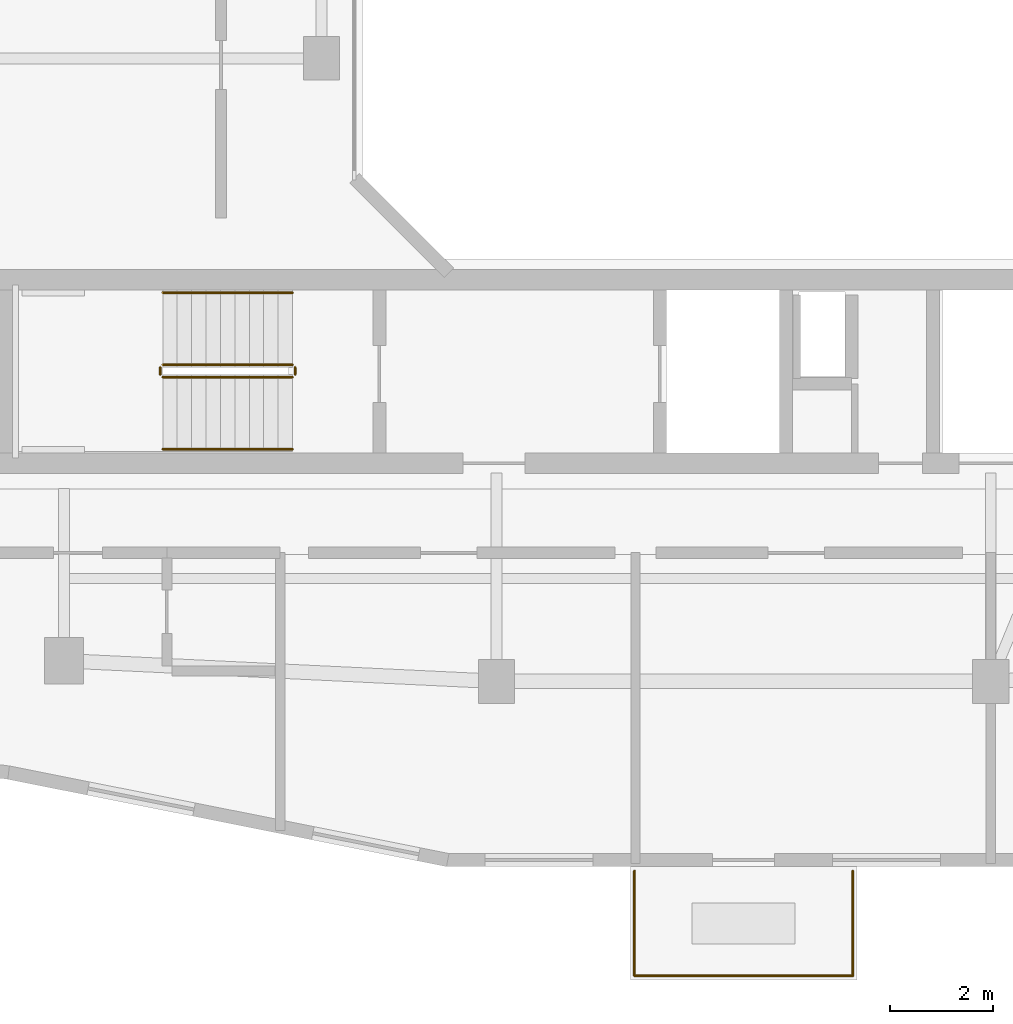
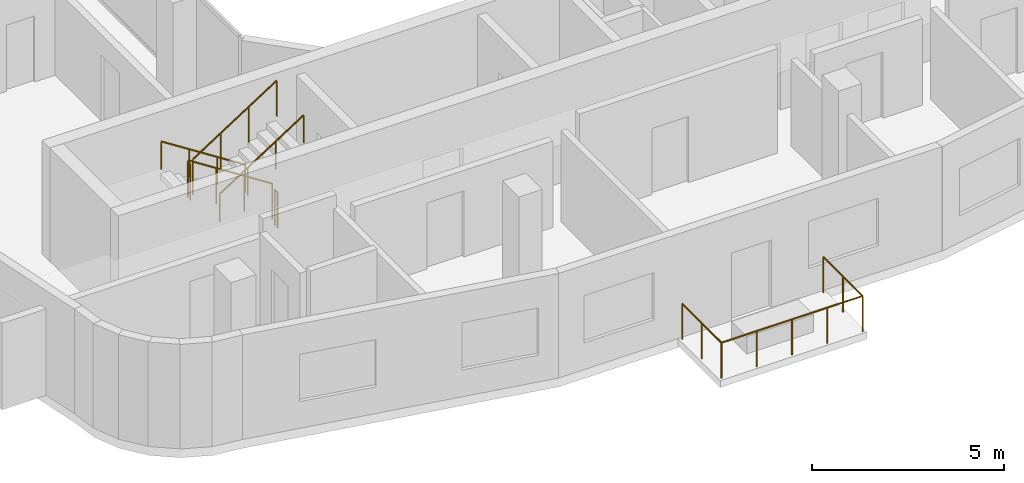
# One storey, part 10 of 13: 9 railings.
"""IFC4 building model written with IfcOpenShell, lengths in metres."""

from ifc_helpers import new_model, si_unit, derived_unit, direction, frame, origin, origin_2d, place, context, subcontext, project, spatial, circle, extrude, material, type_object, element, save


model = new_model("IFC4")

# Units and contexts
model_context = context("Model", 3, precision=1e-05, world=origin(), true_north=direction((0.0, 1.0)))
body_context = subcontext(model_context, "Body", "Model", "MODEL_VIEW")
ifc_project = project(units=[si_unit("LENGTHUNIT", "METRE"), si_unit("AREAUNIT", "SQUARE_METRE"), si_unit("VOLUMEUNIT", "CUBIC_METRE"), si_unit("PLANEANGLEUNIT", "RADIAN"), si_unit("MASSUNIT", "GRAM", prefix="KILO"), derived_unit("THERMALTRANSMITTANCEUNIT", [(si_unit("POWERUNIT", "WATT"), 1), (si_unit("LENGTHUNIT", "METRE"), -2), (si_unit("THERMODYNAMICTEMPERATUREUNIT", "KELVIN"), -1)])], contexts=[model_context])

# Site, building, storey
site_placement = place(None, origin())
site = spatial("IfcSite", under=ifc_project, at=site_placement, CompositionType="ELEMENT")
building_placement = place(site_placement, origin())
building = spatial("IfcBuilding", under=site, at=building_placement, Name="Kivonza Crest Hotel", CompositionType="ELEMENT")
storey_placement = place(building_placement, frame((0.0, 0.0, 231.5)))
storey = spatial("IfcBuildingStorey", under=building, at=storey_placement, Name="L63", CompositionType="ELEMENT", Elevation=231.5)

# Railings
ifc_material_1 = material(Name="Brushed stainless steel handrail", Category="steel")
railing_type_1 = type_object("IfcRailingType", Name="RL-HAND-900", PredefinedType="HANDRAIL", material=ifc_material_1)
railing_1_placement = place(storey_placement, frame((12.239990234375, 16.949951171875, 0.179931640625)))
element("IfcRailing", 1, at=railing_1_placement, inside=storey, type_object=railing_type_1, Name="L63 ST-T1-S stair handrail 1", PredefinedType="HANDRAIL", context=body_context, shape_type="SweptSolid", body=[
    extrude(circle(Radius=0.02392578125, at=origin_2d()), frame((0.0, 0.0, 0.8759765625), z_axis=(-0.841162588446, 0.0, 0.540782303519), x_axis=(0.0, -1.0, 0.0)), (0.0, 0.0, 1.0), 2.995849609375),
    extrude(circle(Radius=0.02099609375, at=origin_2d()), origin(), (0.0, 0.0, 1.0), 0.851806640625),
    extrude(circle(Radius=0.02099609375, at=origin_2d()), frame((-0.840087890625, 0.0, 0.5400390625)), (0.0, 0.0, 1.0), 0.851806640625),
    extrude(circle(Radius=0.02099609375, at=origin_2d()), frame((-1.679931640625, 0.0, 1.080078125)), (0.0, 0.0, 1.0), 0.851806640625),
    extrude(circle(Radius=0.02099609375, at=origin_2d()), frame((-2.52001953125, 0.0, 1.6201171875)), (0.0, 0.0, 1.0), 0.851806640625),
])
railing_2_placement = place(storey_placement, frame((9.719970703125, 13.909912109375, 1.97998046875)))
element("IfcRailing", 2, at=railing_2_placement, inside=storey, type_object=railing_type_1, Name="L63 ST-T1-S stair handrail 2", PredefinedType="HANDRAIL", context=body_context, shape_type="SweptSolid", body=[
    extrude(circle(Radius=0.02392578125, at=origin_2d()), frame((0.0, 0.0, 0.8759765625), z_axis=(0.841162588446, 0.0, 0.540782303519), x_axis=(0.0, 1.0, 0.0)), (0.0, 0.0, 1.0), 2.995849609375),
    extrude(circle(Radius=0.02099609375, at=origin_2d()), origin(), (0.0, 0.0, 1.0), 0.851806640625),
    extrude(circle(Radius=0.02099609375, at=origin_2d()), frame((0.840087890625, 0.0, 0.5400390625)), (0.0, 0.0, 1.0), 0.851806640625),
    extrude(circle(Radius=0.02099609375, at=origin_2d()), frame((1.679931640625, 0.0, 1.080078125)), (0.0, 0.0, 1.0), 0.851806640625),
    extrude(circle(Radius=0.02099609375, at=origin_2d()), frame((2.52001953125, 0.0, 1.6201171875)), (0.0, 0.0, 1.0), 0.851806640625),
])
ifc_material_2 = material(Name="Painted steel balustrade", Category="steel")
railing_type_2 = type_object("IfcRailingType", Name="RL-STAIR-1150", PredefinedType="BALUSTRADE", material=ifc_material_2)
railing_3_placement = place(storey_placement, frame((12.239990234375, 15.550048828125, 0.179931640625)))
element("IfcRailing", 3, at=railing_3_placement, inside=storey, type_object=railing_type_2, Name="L63 ST-T1-S stair guard 1", PredefinedType="BALUSTRADE", context=body_context, shape_type="SweptSolid", body=[
    extrude(circle(Radius=0.02392578125, at=origin_2d()), frame((0.0, 0.0, 1.1259765625), z_axis=(-0.841162588446, 0.0, 0.540782303519), x_axis=(0.0, -1.0, 0.0)), (0.0, 0.0, 1.0), 2.995849609375),
    extrude(circle(Radius=0.02099609375, at=origin_2d()), origin(), (0.0, 0.0, 1.0), 1.101806640625),
    extrude(circle(Radius=0.02099609375, at=origin_2d()), frame((-0.840087890625, 0.0, 0.5400390625)), (0.0, 0.0, 1.0), 1.101806640625),
    extrude(circle(Radius=0.02099609375, at=origin_2d()), frame((-1.679931640625, 0.0, 1.080078125)), (0.0, 0.0, 1.0), 1.101806640625),
    extrude(circle(Radius=0.02099609375, at=origin_2d()), frame((-2.52001953125, 0.0, 1.6201171875)), (0.0, 0.0, 1.0), 1.101806640625),
])
railing_4_placement = place(storey_placement, frame((9.669921875, 15.5, 1.800048828125)))
element("IfcRailing", 4, at=railing_4_placement, inside=storey, type_object=railing_type_2, Name="L63 ST-T1-S stair guard 2", PredefinedType="BALUSTRADE", context=body_context, shape_type="SweptSolid", body=[
    extrude(circle(Radius=0.02392578125, at=origin_2d()), frame((0.0, 0.0, 1.1259765625), z_axis=(0.0, -1.0, 0.0), x_axis=(1.0, 0.0, 0.0)), (0.0, 0.0, 1.0), 0.139892578125),
    extrude(circle(Radius=0.02099609375, at=origin_2d()), origin(), (0.0, 0.0, 1.0), 1.101806640625),
    extrude(circle(Radius=0.02099609375, at=origin_2d()), frame((0.0, -0.139892578125, 0.0)), (0.0, 0.0, 1.0), 1.101806640625),
])
railing_5_placement = place(storey_placement, frame((9.719970703125, 15.31005859375, 1.97998046875)))
element("IfcRailing", 5, at=railing_5_placement, inside=storey, type_object=railing_type_2, Name="L63 ST-T1-S stair guard 3", PredefinedType="BALUSTRADE", context=body_context, shape_type="SweptSolid", body=[
    extrude(circle(Radius=0.02392578125, at=origin_2d()), frame((0.0, 0.0, 1.1259765625), z_axis=(0.841162588446, 0.0, 0.540782303519), x_axis=(0.0, 1.0, 0.0)), (0.0, 0.0, 1.0), 2.995849609375),
    extrude(circle(Radius=0.02099609375, at=origin_2d()), origin(), (0.0, 0.0, 1.0), 1.101806640625),
    extrude(circle(Radius=0.02099609375, at=origin_2d()), frame((0.840087890625, 0.0, 0.5400390625)), (0.0, 0.0, 1.0), 1.101806640625),
    extrude(circle(Radius=0.02099609375, at=origin_2d()), frame((1.679931640625, 0.0, 1.080078125)), (0.0, 0.0, 1.0), 1.101806640625),
    extrude(circle(Radius=0.02099609375, at=origin_2d()), frame((2.52001953125, 0.0, 1.6201171875)), (0.0, 0.0, 1.0), 1.101806640625),
])
railing_6_placement = place(storey_placement, frame((12.2900390625, 15.5, 0.0)))
element("IfcRailing", 6, at=railing_6_placement, inside=storey, type_object=railing_type_2, Name="L63 ST-T1-S stair guard 4", PredefinedType="BALUSTRADE", context=body_context, shape_type="SweptSolid", body=[
    extrude(circle(Radius=0.02392578125, at=origin_2d()), frame((0.0, 0.0, 1.1259765625), z_axis=(0.0, -1.0, 0.0), x_axis=(1.0, 0.0, 0.0)), (0.0, 0.0, 1.0), 0.139892578125),
    extrude(circle(Radius=0.02099609375, at=origin_2d()), origin(), (0.0, 0.0, 1.0), 1.101806640625),
    extrude(circle(Radius=0.02099609375, at=origin_2d()), frame((0.0, -0.139892578125, 0.0)), (0.0, 0.0, 1.0), 1.101806640625),
])
ifc_material_3 = material(Name="Laminated glass and stainless steel balustrade", Category="steel")
railing_type_3 = type_object("IfcRailingType", Name="RL-TERR-1150", PredefinedType="BALUSTRADE", material=ifc_material_3)
railing_7_placement = place(storey_placement, frame((18.8798828125, 3.679931640625, 0.0)))
element("IfcRailing", 7, at=railing_7_placement, inside=storey, type_object=railing_type_3, Name="L63 T1-L63-SG-SW perimeter safety balustrade 1", PredefinedType="BALUSTRADE", context=body_context, shape_type="SweptSolid", body=[
    extrude(circle(Radius=0.02392578125, at=origin_2d()), frame((0.0, 0.0, 1.1259765625), z_axis=(0.0, 1.0, 0.0), x_axis=(-1.0, 0.0, 0.0)), (0.0, 0.0, 1.0), 2.0400390625),
    extrude(circle(Radius=0.02099609375, at=origin_2d()), origin(), (0.0, 0.0, 1.0), 1.101806640625),
    extrude(circle(Radius=0.02099609375, at=origin_2d()), frame((0.0, 1.02001953125, 0.0)), (0.0, 0.0, 1.0), 1.101806640625),
    extrude(circle(Radius=0.02099609375, at=origin_2d()), frame((0.0, 2.0400390625, 0.0)), (0.0, 0.0, 1.0), 1.101806640625),
])
railing_8_placement = place(storey_placement, frame((23.1201171875, 5.719970703125, 0.0)))
element("IfcRailing", 8, at=railing_8_placement, inside=storey, type_object=railing_type_3, Name="L63 T1-L63-SG-SW perimeter safety balustrade 2", PredefinedType="BALUSTRADE", context=body_context, shape_type="SweptSolid", body=[
    extrude(circle(Radius=0.02392578125, at=origin_2d()), frame((0.0, 0.0, 1.1259765625), z_axis=(0.0, -1.0, 0.0), x_axis=(1.0, 0.0, 0.0)), (0.0, 0.0, 1.0), 2.0400390625),
    extrude(circle(Radius=0.02099609375, at=origin_2d()), origin(), (0.0, 0.0, 1.0), 1.101806640625),
    extrude(circle(Radius=0.02099609375, at=origin_2d()), frame((0.0, -1.02001953125, 0.0)), (0.0, 0.0, 1.0), 1.101806640625),
    extrude(circle(Radius=0.02099609375, at=origin_2d()), frame((0.0, -2.0400390625, 0.0)), (0.0, 0.0, 1.0), 1.101806640625),
])
railing_9_placement = place(storey_placement, frame((23.1201171875, 3.679931640625, 0.0)))
element("IfcRailing", 9, at=railing_9_placement, inside=storey, type_object=railing_type_3, Name="L63 T1-L63-SG-SW perimeter safety balustrade 3", PredefinedType="BALUSTRADE", context=body_context, shape_type="SweptSolid", body=[
    extrude(circle(Radius=0.02392578125, at=origin_2d()), frame((0.0, 0.0, 1.1259765625), z_axis=(-1.0, 0.0, 0.0), x_axis=(0.0, -1.0, 0.0)), (0.0, 0.0, 1.0), 4.240234375),
    extrude(circle(Radius=0.02099609375, at=origin_2d()), origin(), (0.0, 0.0, 1.0), 1.101806640625),
    extrude(circle(Radius=0.02099609375, at=origin_2d()), frame((-1.06005859375, 0.0, 0.0)), (0.0, 0.0, 1.0), 1.101806640625),
    extrude(circle(Radius=0.02099609375, at=origin_2d()), frame((-2.1201171875, 0.0, 0.0)), (0.0, 0.0, 1.0), 1.101806640625),
    extrude(circle(Radius=0.02099609375, at=origin_2d()), frame((-3.18017578125, 0.0, 0.0)), (0.0, 0.0, 1.0), 1.101806640625),
    extrude(circle(Radius=0.02099609375, at=origin_2d()), frame((-4.240234375, 0.0, 0.0)), (0.0, 0.0, 1.0), 1.101806640625),
])

save(model, "model.ifc")
